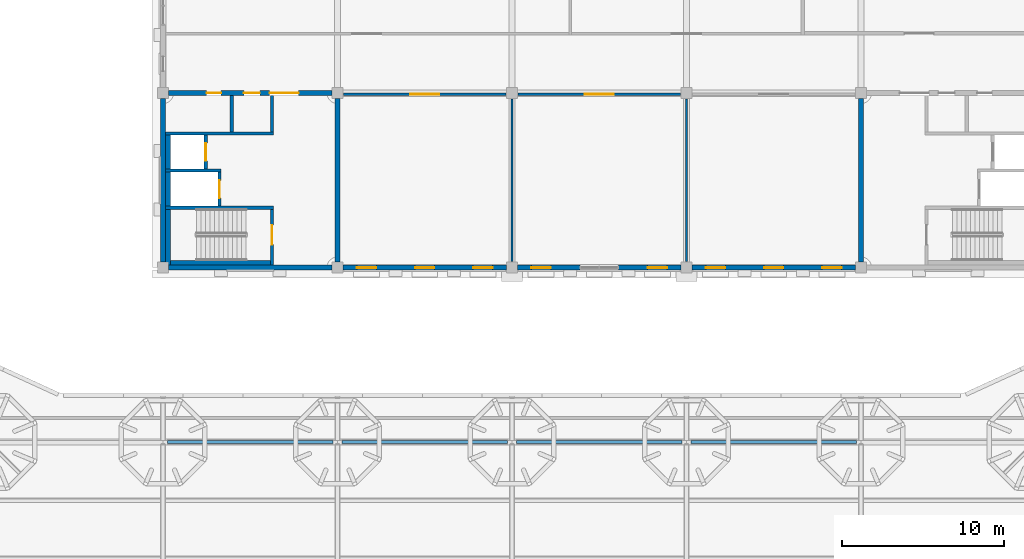
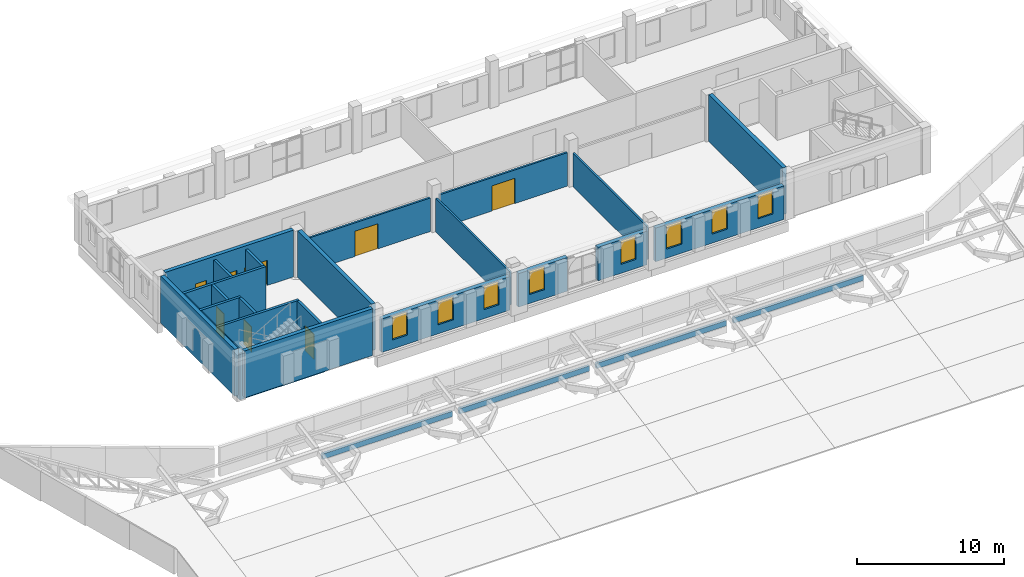
# One storey, part 22 of 32: 29 walls, 8 doors, 8 windows, 16 openings.
"""IFC4 building model written with IfcOpenShell, lengths in metres."""

from ifc_helpers import new_model, si_unit, direction, frame, frame_2d, origin, place, context, subcontext, project, spatial, rectangle, extrude, material, layer, layer_set, type_object, element, fill, save


model = new_model("IFC4")

# Units and contexts
model_context = context("Model", 3, precision=1e-05, world=origin(), true_north=direction((0.0, 1.0)))
body_context = subcontext(model_context, "Body", "Model", "MODEL_VIEW")
ifc_project = project(units=[si_unit("LENGTHUNIT", "METRE"), si_unit("AREAUNIT", "SQUARE_METRE"), si_unit("VOLUMEUNIT", "CUBIC_METRE"), si_unit("PLANEANGLEUNIT", "RADIAN"), si_unit("MASSUNIT", "GRAM", prefix="KILO")], contexts=[model_context])

# Site, building, storey
site_placement = place(None, origin())
site = spatial("IfcSite", under=ifc_project, at=site_placement, CompositionType="ELEMENT")
building_placement = place(site_placement, origin())
building = spatial("IfcBuilding", under=site, at=building_placement, Name="Magnolia Steps Interchange", CompositionType="ELEMENT")
storey_placement = place(building_placement, frame((0.0, 0.0, 16.5)))
storey = spatial("IfcBuildingStorey", under=building, at=storey_placement, Name="L04", CompositionType="ELEMENT", Elevation=16.5)

# Wall, opening, door
ifc_material_1 = material(Name="Concrete C35", Category="concrete")
ifc_layer_1 = layer(ifc_material_1, 0.199951171875)
ifc_layer_set_1 = layer_set([ifc_layer_1], Name="Core enclosure wall 200")
wall_type_1 = type_object("IfcWallType", Name="Core enclosure wall 200", PredefinedType="SOLIDWALL", material=ifc_layer_set_1)
wall_1_placement = place(storey_placement, frame((70.75, 96.550048828125, 0.0), z_axis=(0.0, 0.0, 1.0), x_axis=(0.0, 1.0, 0.0)))
wall_1 = element("IfcWall", 1, at=wall_1_placement, inside=storey, type_object=wall_type_1, Name="L04 OC-W enclosure wall", PredefinedType="SOLIDWALL", context=body_context, shape_type="SweptSolid", body=[
    extrude(rectangle(XDim=3.449951171875, YDim=0.199951171875, at=frame_2d((1.72509765625, 0.0))), origin(), (0.0, 0.0, 1.0), 3.60009765625),
])
opening_1_placement = place(wall_1_placement, frame((1.27490234375, 0.0, 0.0)))
opening_1 = element("IfcOpeningElement", 2, at=opening_1_placement, cuts=wall_1, Name="Opening D-OC-W-L04-1", PredefinedType="OPENING", context=body_context, shape_type="SweptSolid", body=[
    extrude(rectangle(XDim=1.199951171875, YDim=2.10009765625, at=frame_2d((0.60009765625, 1.050048828125))), frame((0.0, 0.10986328125, 0.0), z_axis=(0.0, -1.0, 0.0), x_axis=(1.0, 0.0, 0.0)), (0.0, 0.0, 1.0), 0.219970703125),
])
ifc_material_2 = material(Name="Painted steel", Category="steel")
door_type_1 = type_object("IfcDoorType", Name="Stair fire door 1200x2100", OperationType="NOTDEFINED", PredefinedType="DOOR", material=ifc_material_2)
door_1_placement = place(opening_1_placement, frame((1.199951171875, 0.0, 0.0), z_axis=(0.0, 0.0, 1.0), x_axis=(-1.0, 0.0, 0.0)))
door_1 = element("IfcDoor", 3, at=door_1_placement, inside=storey, type_object=door_type_1, Name="Stair door ST28 L04", OperationType="SINGLE_SWING_LEFT", OverallHeight=2.10009765625, OverallWidth=1.199951171875, PredefinedType="DOOR", context=body_context, shape_type="SweptSolid", body=[
    extrude(rectangle(XDim=1.199951171875, YDim=2.10009765625, at=frame_2d((0.60009765625, 1.050048828125))), frame((0.0, 0.02490234375, 0.0), z_axis=(0.0, -1.0, 0.0), x_axis=(1.0, 0.0, 0.0)), (0.0, 0.0, 1.0), 0.050048828125),
])
fill(opening_1, door_1)

# Wall
wall_2_placement = place(storey_placement, frame((70.85009765625, 100.10009765625, 0.0), z_axis=(0.0, 0.0, 1.0), x_axis=(-1.0, 0.0, 0.0)))
element("IfcWall", 4, at=wall_2_placement, inside=storey, type_object=wall_type_1, Name="L04 OC-W enclosure wall", PredefinedType="SOLIDWALL", context=body_context, shape_type="SweptSolid", body=[
    extrude(rectangle(XDim=6.7001953125, YDim=0.199951171875, at=frame_2d((3.35009765625, 0.0))), origin(), (0.0, 0.0, 1.0), 3.60009765625),
])

# Wall, opening, door
wall_3_placement = place(storey_placement, frame((67.5, 100.199951171875, 0.0), z_axis=(0.0, 0.0, 1.0), x_axis=(0.0, 1.0, 0.0)))
wall_3 = element("IfcWall", 5, at=wall_3_placement, inside=storey, type_object=wall_type_1, Name="L04 OC-W enclosure wall", PredefinedType="SOLIDWALL", context=body_context, shape_type="SweptSolid", body=[
    extrude(rectangle(XDim=2.10009765625, YDim=0.199951171875, at=frame_2d((1.050048828125, 0.0))), origin(), (0.0, 0.0, 1.0), 3.60009765625),
])
opening_2_placement = place(wall_3_placement, frame((0.5, 0.0, 0.0)))
opening_2 = element("IfcOpeningElement", 6, at=opening_2_placement, cuts=wall_3, Name="Opening LD", PredefinedType="OPENING", context=body_context, shape_type="SweptSolid", body=[
    extrude(rectangle(XDim=1.10009765625, YDim=2.10009765625, at=frame_2d((0.550048828125, 1.050048828125))), frame((0.0, 0.10986328125, 0.0), z_axis=(0.0, -1.0, 0.0), x_axis=(1.0, 0.0, 0.0)), (0.0, 0.0, 1.0), 0.219970703125),
])
ifc_material_3 = material(Name="Stainless steel grade 304", Category="steel")
door_type_2 = type_object("IfcDoorType", Name="Lift landing door 1100x2100", OperationType="DOUBLE_DOOR_SLIDING", PredefinedType="DOOR", material=ifc_material_3)
door_2_placement = place(opening_2_placement, frame((1.10009765625, 0.0, 0.0), z_axis=(0.0, 0.0, 1.0), x_axis=(-1.0, 0.0, 0.0)))
door_2 = element("IfcDoor", 7, at=door_2_placement, inside=storey, type_object=door_type_2, Name="Lift landing door LF15 L04", OperationType="DOUBLE_DOOR_SLIDING", OverallHeight=2.10009765625, OverallWidth=1.10009765625, PredefinedType="DOOR", context=body_context, shape_type="SweptSolid", body=[
    extrude(rectangle(XDim=1.10009765625, YDim=2.10009765625, at=frame_2d((0.550048828125, 1.050048828125))), frame((0.0, 0.02490234375, 0.0), z_axis=(0.0, -1.0, 0.0), x_axis=(1.0, 0.0, 0.0)), (0.0, 0.0, 1.0), 0.050048828125),
])
fill(opening_2, door_2)

# Wall
wall_4_placement = place(storey_placement, frame((67.60009765625, 102.39990234375, 0.0), z_axis=(0.0, 0.0, 1.0), x_axis=(-1.0, 0.0, 0.0)))
element("IfcWall", 8, at=wall_4_placement, inside=storey, type_object=wall_type_1, Name="L04 OC-W enclosure wall", PredefinedType="SOLIDWALL", context=body_context, shape_type="SweptSolid", body=[
    extrude(rectangle(XDim=3.4501953125, YDim=0.199951171875, at=frame_2d((1.72509765625, 0.0))), origin(), (0.0, 0.0, 1.0), 3.60009765625),
])

# Wall, opening, door
wall_5_placement = place(storey_placement, frame((66.64990234375, 102.5, 0.0), z_axis=(0.0, 0.0, 1.0), x_axis=(0.0, 1.0, 0.0)))
wall_5 = element("IfcWall", 9, at=wall_5_placement, inside=storey, type_object=wall_type_1, Name="L04 OC-W enclosure wall", PredefinedType="SOLIDWALL", context=body_context, shape_type="SweptSolid", body=[
    extrude(rectangle(XDim=2.10009765625, YDim=0.199951171875, at=frame_2d((1.050048828125, 0.0))), origin(), (0.0, 0.0, 1.0), 3.60009765625),
])
opening_3_placement = place(wall_5_placement, frame((0.5, 0.0, 0.0)))
opening_3 = element("IfcOpeningElement", 10, at=opening_3_placement, cuts=wall_5, Name="Opening LD", PredefinedType="OPENING", context=body_context, shape_type="SweptSolid", body=[
    extrude(rectangle(XDim=1.10009765625, YDim=2.10009765625, at=frame_2d((0.550048828125, 1.050048828125))), frame((0.0, 0.10986328125, 0.0), z_axis=(0.0, -1.0, 0.0), x_axis=(1.0, 0.0, 0.0)), (0.0, 0.0, 1.0), 0.219970703125),
])
door_3_placement = place(opening_3_placement, frame((1.10009765625, 0.0, 0.0), z_axis=(0.0, 0.0, 1.0), x_axis=(-1.0, 0.0, 0.0)))
door_3 = element("IfcDoor", 11, at=door_3_placement, inside=storey, type_object=door_type_2, Name="Lift landing door LF16 L04", OperationType="DOUBLE_DOOR_SLIDING", OverallHeight=2.10009765625, OverallWidth=1.10009765625, PredefinedType="DOOR", context=body_context, shape_type="SweptSolid", body=[
    extrude(rectangle(XDim=1.10009765625, YDim=2.10009765625, at=frame_2d((0.550048828125, 1.050048828125))), frame((0.0, 0.02490234375, 0.0), z_axis=(0.0, -1.0, 0.0), x_axis=(1.0, 0.0, 0.0)), (0.0, 0.0, 1.0), 0.050048828125),
])
fill(opening_3, door_3)

# Walls
wall_6_placement = place(storey_placement, frame((70.85009765625, 104.699951171875, 0.0), z_axis=(0.0, 0.0, 1.0), x_axis=(-1.0, 0.0, 0.0)))
element("IfcWall", 12, at=wall_6_placement, inside=storey, type_object=wall_type_1, Name="L04 OC-W enclosure wall", PredefinedType="SOLIDWALL", context=body_context, shape_type="SweptSolid", body=[
    extrude(rectangle(XDim=6.7001953125, YDim=0.199951171875, at=frame_2d((3.35009765625, 0.0))), origin(), (0.0, 0.0, 1.0), 3.60009765625),
])
wall_7_placement = place(storey_placement, frame((70.75, 104.800048828125, 0.0), z_axis=(0.0, 0.0, 1.0), x_axis=(0.0, 1.0, 0.0)))
element("IfcWall", 13, at=wall_7_placement, inside=storey, type_object=wall_type_1, Name="L04 OC-W enclosure wall", PredefinedType="SOLIDWALL", context=body_context, shape_type="SweptSolid", body=[
    extrude(rectangle(XDim=2.25, YDim=0.199951171875, at=frame_2d((1.125, 0.0))), origin(), (0.0, 0.0, 1.0), 3.60009765625),
])
ifc_material_4 = material(Name="Concrete C35", Category="concrete")
ifc_layer_2 = layer(ifc_material_4, 0.300048828125)
ifc_layer_set_2 = layer_set([ifc_layer_2], Name="Core lining wall 300")
wall_type_2 = type_object("IfcWallType", Name="Core lining wall 300", PredefinedType="SOLIDWALL", material=ifc_layer_set_2)
wall_8_placement = place(storey_placement, frame((70.85009765625, 96.699951171875, -0.300048828125), z_axis=(0.0, 0.0, 1.0), x_axis=(-1.0, 0.0, 0.0)))
element("IfcWall", 14, at=wall_8_placement, inside=storey, type_object=wall_type_2, Name="L04 OC-W stair lining wall", PredefinedType="SOLIDWALL", context=body_context, shape_type="SweptSolid", body=[
    extrude(rectangle(XDim=6.7001953125, YDim=0.300048828125, at=frame_2d((3.35009765625, 0.0))), origin(), (0.0, 0.0, 1.0), 3.900146484375),
])
wall_9_placement = place(storey_placement, frame((64.300048828125, 96.550048828125, -0.300048828125), z_axis=(0.0, 0.0, 1.0), x_axis=(0.0, 1.0, 0.0)))
element("IfcWall", 15, at=wall_9_placement, inside=storey, type_object=wall_type_2, Name="L04 OC-W stair lining wall", PredefinedType="SOLIDWALL", context=body_context, shape_type="SweptSolid", body=[
    extrude(rectangle(XDim=3.449951171875, YDim=0.300048828125, at=frame_2d((1.72509765625, 0.0))), origin(), (0.0, 0.0, 1.0), 3.900146484375),
])
for number, where, z_axis, x_axis, name in (
    (16, (64.300048828125, 100.199951171875, -0.300048828125), (0.0, 0.0, 1.0), (0.0, 1.0, 0.0), "L04 OC-W stair lining wall"),
    (17, (64.300048828125, 102.5, -0.300048828125), (0.0, 0.0, 1.0), (0.0, 1.0, 0.0), "L04 OC-W stair lining wall"),
):
    element("IfcWall", number, at=place(storey_placement, frame(where, z_axis=z_axis, x_axis=x_axis)), inside=storey, type_object=wall_type_2, Name=name, PredefinedType="SOLIDWALL", context=body_context, shape_type="SweptSolid", body=[
        extrude(rectangle(XDim=2.10009765625, YDim=0.300048828125, at=frame_2d((1.050048828125, 0.0))), origin(), (0.0, 0.0, 1.0), 3.900146484375),
    ])
ifc_material_5 = material(Name="Fair-faced blockwork", Category="masonry")
ifc_layer_3 = layer(ifc_material_5, 0.199951171875)
ifc_layer_set_3 = layer_set([ifc_layer_3], Name="Core partition 200")
wall_type_3 = type_object("IfcWallType", Name="Core partition 200", PredefinedType="PARTITIONING", material=ifc_layer_set_3)
wall_10_placement = place(storey_placement, frame((68.25, 104.800048828125, 0.0), z_axis=(0.0, 0.0, 1.0), x_axis=(0.0, 1.0, 0.0)))
element("IfcWall", 18, at=wall_10_placement, inside=storey, type_object=wall_type_3, Name="L04 OC-W toilet partition", PredefinedType="PARTITIONING", context=body_context, shape_type="SweptSolid", body=[
    extrude(rectangle(XDim=2.25, YDim=0.199951171875, at=frame_2d((1.125, 0.0))), origin(), (0.0, 0.0, 1.0), 3.60009765625),
])
ifc_material_6 = material(Name="Concrete C40", Category="concrete")
ifc_layer_4 = layer(ifc_material_6, 0.300048828125)
ifc_layer_set_4 = layer_set([ifc_layer_4], Name="Core wall 300")
wall_type_4 = type_object("IfcWallType", Name="Core wall 300", PredefinedType="SOLIDWALL", material=ifc_layer_set_4)
wall_11_placement = place(storey_placement, frame((64.35009765625, 96.39990234375, 0.0), z_axis=(0.0, 0.0, 1.0), x_axis=(1.0, 0.0, 0.0)))
element("IfcWall", 19, at=wall_11_placement, inside=storey, type_object=wall_type_4, Name="Core wall OC-W", PredefinedType="SOLIDWALL", context=body_context, shape_type="SweptSolid", body=[
    extrude(rectangle(XDim=10.099853515625, YDim=0.300048828125, at=frame_2d((5.0498046875, 0.0))), origin(), (0.0, 0.0, 1.0), 3.89990234375),
])
wall_12_placement = place(storey_placement, frame((74.800048828125, 96.75, 0.0), z_axis=(0.0, 0.0, 1.0), x_axis=(0.0, 1.0, 0.0)))
element("IfcWall", 20, at=wall_12_placement, inside=storey, type_object=wall_type_4, Name="Core wall OC-W", PredefinedType="SOLIDWALL", context=body_context, shape_type="SweptSolid", body=[
    extrude(rectangle(XDim=10.10009765625, YDim=0.300048828125, at=frame_2d((5.050048828125, 0.0))), origin(), (0.0, 0.0, 1.0), 3.89990234375),
])

# Wall, openings, doors
wall_13_placement = place(storey_placement, frame((74.449951171875, 107.199951171875, 0.0), z_axis=(0.0, 0.0, 1.0), x_axis=(-1.0, 0.0, 0.0)))
wall_13 = element("IfcWall", 21, at=wall_13_placement, inside=storey, type_object=wall_type_4, Name="Core wall OC-W", PredefinedType="SOLIDWALL", context=body_context, shape_type="SweptSolid", body=[
    extrude(rectangle(XDim=10.099853515625, YDim=0.300048828125, at=frame_2d((5.0498046875, 0.0))), origin(), (0.0, 0.0, 1.0), 3.89990234375),
])
opening_4_placement = place(wall_13_placement, frame((2.050048828125, 0.0, 0.0)))
opening_4 = element("IfcOpeningElement", 22, at=opening_4_placement, cuts=wall_13, Name="Opening D-OC-W-L04-2", PredefinedType="OPENING", context=body_context, shape_type="SweptSolid", body=[
    extrude(rectangle(XDim=1.800048828125, YDim=2.10009765625, at=frame_2d((0.89990234375, 1.050048828125))), frame((0.0, 0.159912109375, 0.0), z_axis=(0.0, -1.0, 0.0), x_axis=(1.0, 0.0, 0.0)), (0.0, 0.0, 1.0), 0.320068359375),
])
opening_5_placement = place(wall_13_placement, frame((4.449951171875, 0.0, 0.0)))
opening_5 = element("IfcOpeningElement", 23, at=opening_5_placement, cuts=wall_13, Name="Opening D-OC-W-L04-3", PredefinedType="OPENING", context=body_context, shape_type="SweptSolid", body=[
    extrude(rectangle(XDim=1.0, YDim=2.10009765625, at=frame_2d((0.5, 1.050048828125))), frame((0.0, 0.159912109375, 0.0), z_axis=(0.0, -1.0, 0.0), x_axis=(1.0, 0.0, 0.0)), (0.0, 0.0, 1.0), 0.320068359375),
])
opening_6_placement = place(wall_13_placement, frame((6.85009765625, 0.0, 0.0)))
opening_6 = element("IfcOpeningElement", 24, at=opening_6_placement, cuts=wall_13, Name="Opening D-OC-W-L04-4", PredefinedType="OPENING", context=body_context, shape_type="SweptSolid", body=[
    extrude(rectangle(XDim=0.89990234375, YDim=2.10009765625, at=frame_2d((0.449951171875, 1.050048828125))), frame((0.0, 0.159912109375, 0.0), z_axis=(0.0, -1.0, 0.0), x_axis=(1.0, 0.0, 0.0)), (0.0, 0.0, 1.0), 0.320068359375),
])
ifc_material_7 = material(Name="Timber", Category="wood")
door_type_3 = type_object("IfcDoorType", Name="Accessible toilet door 1000x2100", OperationType="NOTDEFINED", PredefinedType="DOOR", material=ifc_material_7)
door_4_placement = place(opening_5_placement, origin())
door_4 = element("IfcDoor", 25, at=door_4_placement, inside=storey, type_object=door_type_3, Name="Accessible Toilet door OC-W L04", OperationType="SINGLE_SWING_LEFT", OverallHeight=2.10009765625, OverallWidth=1.0, PredefinedType="DOOR", context=body_context, shape_type="SweptSolid", body=[
    extrude(rectangle(XDim=1.0, YDim=2.10009765625, at=frame_2d((0.5, 1.050048828125))), frame((0.0, 0.02490234375, 0.0), z_axis=(0.0, -1.0, 0.0), x_axis=(1.0, 0.0, 0.0)), (0.0, 0.0, 1.0), 0.050048828125),
])
fill(opening_5, door_4)
ifc_material_8 = material(Name="Timber and glass", Category="wood")
door_type_4 = type_object("IfcDoorType", Name="Core entrance door pair 1800x2100", OperationType="DOUBLE_DOOR_DOUBLE_SWING", PredefinedType="DOOR", material=ifc_material_8)
door_5_placement = place(opening_4_placement, frame((1.800048828125, 0.0, 0.0), z_axis=(0.0, 0.0, 1.0), x_axis=(-1.0, 0.0, 0.0)))
door_5 = element("IfcDoor", 26, at=door_5_placement, inside=storey, type_object=door_type_4, Name="Core entrance door OC-W L04", OperationType="DOUBLE_DOOR_DOUBLE_SWING", OverallHeight=2.10009765625, OverallWidth=1.800048828125, PredefinedType="DOOR", context=body_context, shape_type="SweptSolid", body=[
    extrude(rectangle(XDim=1.800048828125, YDim=2.10009765625, at=frame_2d((0.89990234375, 1.050048828125))), frame((0.0, 0.02490234375, 0.0), z_axis=(0.0, -1.0, 0.0), x_axis=(1.0, 0.0, 0.0)), (0.0, 0.0, 1.0), 0.050048828125),
])
fill(opening_4, door_5)
ifc_material_9 = material(Name="Timber", Category="wood")
door_type_5 = type_object("IfcDoorType", Name="Toilet door 900x2100", OperationType="NOTDEFINED", PredefinedType="DOOR", material=ifc_material_9)
door_6_placement = place(opening_6_placement, origin())
door_6 = element("IfcDoor", 27, at=door_6_placement, inside=storey, type_object=door_type_5, Name="Public Toilets door OC-W L04", OperationType="SINGLE_SWING_RIGHT", OverallHeight=2.10009765625, OverallWidth=0.89990234375, PredefinedType="DOOR", context=body_context, shape_type="SweptSolid", body=[
    extrude(rectangle(XDim=0.89990234375, YDim=2.10009765625, at=frame_2d((0.449951171875, 1.050048828125))), frame((0.0, 0.02490234375, 0.0), z_axis=(0.0, -1.0, 0.0), x_axis=(1.0, 0.0, 0.0)), (0.0, 0.0, 1.0), 0.050048828125),
])
fill(opening_6, door_6)

# Walls
for number, where, z_axis, x_axis, name in (
    (28, (64.0, 106.85009765625, 0.0), (0.0, 0.0, 1.0), (0.0, -1.0, 0.0), "Core wall OC-W"),
    (29, (107.199951171875, 106.85009765625, 0.0), (0.0, 0.0, 1.0), (0.0, -1.0, 0.0), "Core wall OC-E"),
):
    element("IfcWall", number, at=place(storey_placement, frame(where, z_axis=z_axis, x_axis=x_axis)), inside=storey, type_object=wall_type_4, Name=name, PredefinedType="SOLIDWALL", context=body_context, shape_type="SweptSolid", body=[
        extrude(rectangle(XDim=10.10009765625, YDim=0.300048828125, at=frame_2d((5.050048828125, 0.0))), origin(), (0.0, 0.0, 1.0), 3.89990234375),
    ])
ifc_material_10 = material(Name="White powder-coated aluminium cladding", Category="aluminium")
ifc_layer_5 = layer(ifc_material_10, 0.199951171875)
ifc_layer_set_5 = layer_set([ifc_layer_5], Name="Hall header wall 200")
wall_type_5 = type_object("IfcWallType", Name="Hall header wall 200", PredefinedType="SOLIDWALL", material=ifc_layer_set_5)
for number, where, z_axis, x_axis, name in (
    (30, (64.280029296875, 85.60009765625, 1.401123046875), (0.0, 0.0, 1.0), (1.0, 0.0, 0.0), "Hall header N2"),
    (31, (75.080078125, 85.60009765625, 1.401123046875), (0.0, 0.0, 1.0), (1.0, 0.0, 0.0), "Hall header N3"),
):
    element("IfcWall", number, at=place(storey_placement, frame(where, z_axis=z_axis, x_axis=x_axis)), inside=storey, type_object=wall_type_5, Name=name, PredefinedType="SOLIDWALL", context=body_context, shape_type="SweptSolid", body=[
        extrude(rectangle(XDim=10.239990234375, YDim=0.199951171875, at=frame_2d((5.1201171875, 0.0))), origin(), (0.0, 0.0, 1.0), 0.4443359375),
    ])
wall_14_placement = place(storey_placement, frame((85.8798828125, 85.60009765625, 1.401123046875), z_axis=(0.0, 0.0, 1.0), x_axis=(1.0, 0.0, 0.0)))
element("IfcWall", 32, at=wall_14_placement, inside=storey, type_object=wall_type_5, Name="Hall header N4", PredefinedType="SOLIDWALL", context=body_context, shape_type="SweptSolid", body=[
    extrude(rectangle(XDim=10.240234375, YDim=0.199951171875, at=frame_2d((5.1201171875, 0.0))), origin(), (0.0, 0.0, 1.0), 0.4443359375),
])
wall_15_placement = place(storey_placement, frame((96.679931640625, 85.60009765625, 1.401123046875), z_axis=(0.0, 0.0, 1.0), x_axis=(1.0, 0.0, 0.0)))
element("IfcWall", 33, at=wall_15_placement, inside=storey, type_object=wall_type_5, Name="Hall header N5", PredefinedType="SOLIDWALL", context=body_context, shape_type="SweptSolid", body=[
    extrude(rectangle(XDim=10.239990234375, YDim=0.199951171875, at=frame_2d((5.1201171875, 0.0))), origin(), (0.0, 0.0, 1.0), 0.4443359375),
])

# Wall, openings, windows
ifc_material_11 = material(Name="Lime render on masonry", Category="masonry")
ifc_layer_6 = layer(ifc_material_11, 0.324951171875)
ifc_layer_set_6 = layer_set([ifc_layer_6], Name="Lime render wall 325")
wall_type_6 = type_object("IfcWallType", Name="Lime render wall 325", PredefinedType="SOLIDWALL", material=ifc_layer_set_6)
wall_16_placement = place(storey_placement, frame((75.14990234375, 96.39990234375, 0.0), z_axis=(0.0, 0.0, 1.0), x_axis=(1.0, 0.0, 0.0)))
wall_16 = element("IfcWall", 34, at=wall_16_placement, inside=storey, type_object=wall_type_6, Name="Operations building south wall L04 pier 1", PredefinedType="SOLIDWALL", context=body_context, shape_type="SweptSolid", body=[
    extrude(rectangle(XDim=10.10009765625, YDim=0.324951171875, at=frame_2d((5.050048828125, 0.0))), origin(), (0.0, 0.0, 1.0), 2.800048828125),
])
opening_7_placement = place(wall_16_placement, frame((0.85009765625, 0.0, 0.75)))
opening_7 = element("IfcOpeningElement", 35, at=opening_7_placement, cuts=wall_16, Name="Opening WN1", PredefinedType="OPENING", context=body_context, shape_type="SweptSolid", body=[
    extrude(rectangle(XDim=1.199951171875, YDim=1.949951171875, at=frame_2d((0.60009765625, 0.97509765625))), frame((0.0, 0.17236328125, 0.0), z_axis=(0.0, -1.0, 0.0), x_axis=(1.0, 0.0, 0.0)), (0.0, 0.0, 1.0), 0.344970703125),
])
opening_8_placement = place(wall_16_placement, frame((4.449951171875, 0.0, 0.75)))
opening_8 = element("IfcOpeningElement", 36, at=opening_8_placement, cuts=wall_16, Name="Opening WN1", PredefinedType="OPENING", context=body_context, shape_type="SweptSolid", body=[
    extrude(rectangle(XDim=1.199951171875, YDim=1.949951171875, at=frame_2d((0.60009765625, 0.97509765625))), frame((0.0, 0.17236328125, 0.0), z_axis=(0.0, -1.0, 0.0), x_axis=(1.0, 0.0, 0.0)), (0.0, 0.0, 1.0), 0.344970703125),
])
opening_9_placement = place(wall_16_placement, frame((8.050048828125, 0.0, 0.75)))
opening_9 = element("IfcOpeningElement", 37, at=opening_9_placement, cuts=wall_16, Name="Opening WN1", PredefinedType="OPENING", context=body_context, shape_type="SweptSolid", body=[
    extrude(rectangle(XDim=1.199951171875, YDim=1.949951171875, at=frame_2d((0.60009765625, 0.97509765625))), frame((0.0, 0.17236328125, 0.0), z_axis=(0.0, -1.0, 0.0), x_axis=(1.0, 0.0, 0.0)), (0.0, 0.0, 1.0), 0.344970703125),
])
ifc_material_12 = material(Name="Timber frame with double glazing", Category="wood")
window_type = type_object("IfcWindowType", Name="Tall window 1200 x 1950", PartitioningType="DOUBLE_PANEL_VERTICAL", PredefinedType="WINDOW", material=ifc_material_12)
window_1_placement = place(opening_7_placement, origin())
window_1 = element("IfcWindow", 38, at=window_1_placement, inside=storey, type_object=window_type, Name="Window L04 south 1", OverallHeight=1.949951171875, OverallWidth=1.199951171875, PartitioningType="SINGLE_PANEL", PredefinedType="WINDOW", context=body_context, shape_type="SweptSolid", body=[
    extrude(rectangle(XDim=1.199951171875, YDim=1.949951171875, at=frame_2d((0.60009765625, 0.97509765625))), frame((0.0, 0.030029296875, 0.0), z_axis=(0.0, -1.0, 0.0), x_axis=(1.0, 0.0, 0.0)), (0.0, 0.0, 1.0), 0.06005859375),
])
fill(opening_7, window_1)
window_2_placement = place(opening_8_placement, origin())
window_2 = element("IfcWindow", 39, at=window_2_placement, inside=storey, type_object=window_type, Name="Window L04 south 2", OverallHeight=1.949951171875, OverallWidth=1.199951171875, PartitioningType="SINGLE_PANEL", PredefinedType="WINDOW", context=body_context, shape_type="SweptSolid", body=[
    extrude(rectangle(XDim=1.199951171875, YDim=1.949951171875, at=frame_2d((0.60009765625, 0.97509765625))), frame((0.0, 0.030029296875, 0.0), z_axis=(0.0, -1.0, 0.0), x_axis=(1.0, 0.0, 0.0)), (0.0, 0.0, 1.0), 0.06005859375),
])
fill(opening_8, window_2)
window_3_placement = place(opening_9_placement, origin())
window_3 = element("IfcWindow", 40, at=window_3_placement, inside=storey, type_object=window_type, Name="Window L04 south 3", OverallHeight=1.949951171875, OverallWidth=1.199951171875, PartitioningType="SINGLE_PANEL", PredefinedType="WINDOW", context=body_context, shape_type="SweptSolid", body=[
    extrude(rectangle(XDim=1.199951171875, YDim=1.949951171875, at=frame_2d((0.60009765625, 0.97509765625))), frame((0.0, 0.030029296875, 0.0), z_axis=(0.0, -1.0, 0.0), x_axis=(1.0, 0.0, 0.0)), (0.0, 0.0, 1.0), 0.06005859375),
])
fill(opening_9, window_3)

# Wall, opening, window
wall_17_placement = place(storey_placement, frame((85.949951171875, 96.39990234375, 0.0), z_axis=(0.0, 0.0, 1.0), x_axis=(1.0, 0.0, 0.0)))
wall_17 = element("IfcWall", 41, at=wall_17_placement, inside=storey, type_object=wall_type_6, Name="Operations building south wall L04 pier 1", PredefinedType="SOLIDWALL", context=body_context, shape_type="SweptSolid", body=[
    extrude(rectangle(XDim=3.85009765625, YDim=0.324951171875, at=frame_2d((1.925048828125, 0.0))), origin(), (0.0, 0.0, 1.0), 2.800048828125),
])
opening_10_placement = place(wall_17_placement, frame((0.85009765625, 0.0, 0.75)))
opening_10 = element("IfcOpeningElement", 42, at=opening_10_placement, cuts=wall_17, Name="Opening WN1", PredefinedType="OPENING", context=body_context, shape_type="SweptSolid", body=[
    extrude(rectangle(XDim=1.199951171875, YDim=1.949951171875, at=frame_2d((0.60009765625, 0.97509765625))), frame((0.0, 0.17236328125, 0.0), z_axis=(0.0, -1.0, 0.0), x_axis=(1.0, 0.0, 0.0)), (0.0, 0.0, 1.0), 0.344970703125),
])
window_4_placement = place(opening_10_placement, origin())
window_4 = element("IfcWindow", 43, at=window_4_placement, inside=storey, type_object=window_type, Name="Window L04 south 4", OverallHeight=1.949951171875, OverallWidth=1.199951171875, PartitioningType="SINGLE_PANEL", PredefinedType="WINDOW", context=body_context, shape_type="SweptSolid", body=[
    extrude(rectangle(XDim=1.199951171875, YDim=1.949951171875, at=frame_2d((0.60009765625, 0.97509765625))), frame((0.0, 0.030029296875, 0.0), z_axis=(0.0, -1.0, 0.0), x_axis=(1.0, 0.0, 0.0)), (0.0, 0.0, 1.0), 0.06005859375),
])
fill(opening_10, window_4)

wall_18_placement = place(storey_placement, frame((92.199951171875, 96.39990234375, 0.0), z_axis=(0.0, 0.0, 1.0), x_axis=(1.0, 0.0, 0.0)))
wall_18 = element("IfcWall", 44, at=wall_18_placement, inside=storey, type_object=wall_type_6, Name="Operations building south wall L04 pier 3", PredefinedType="SOLIDWALL", context=body_context, shape_type="SweptSolid", body=[
    extrude(rectangle(XDim=3.85009765625, YDim=0.324951171875, at=frame_2d((1.925048828125, 0.0))), origin(), (0.0, 0.0, 1.0), 2.800048828125),
])
opening_11_placement = place(wall_18_placement, frame((1.800048828125, 0.0, 0.75)))
opening_11 = element("IfcOpeningElement", 45, at=opening_11_placement, cuts=wall_18, Name="Opening WN1", PredefinedType="OPENING", context=body_context, shape_type="SweptSolid", body=[
    extrude(rectangle(XDim=1.199951171875, YDim=1.949951171875, at=frame_2d((0.60009765625, 0.97509765625))), frame((0.0, 0.17236328125, 0.0), z_axis=(0.0, -1.0, 0.0), x_axis=(1.0, 0.0, 0.0)), (0.0, 0.0, 1.0), 0.344970703125),
])
window_5_placement = place(opening_11_placement, origin())
window_5 = element("IfcWindow", 46, at=window_5_placement, inside=storey, type_object=window_type, Name="Window L04 south 6", OverallHeight=1.949951171875, OverallWidth=1.199951171875, PartitioningType="SINGLE_PANEL", PredefinedType="WINDOW", context=body_context, shape_type="SweptSolid", body=[
    extrude(rectangle(XDim=1.199951171875, YDim=1.949951171875, at=frame_2d((0.60009765625, 0.97509765625))), frame((0.0, 0.030029296875, 0.0), z_axis=(0.0, -1.0, 0.0), x_axis=(1.0, 0.0, 0.0)), (0.0, 0.0, 1.0), 0.06005859375),
])
fill(opening_11, window_5)

# Wall, openings, windows
wall_19_placement = place(storey_placement, frame((96.75, 96.39990234375, 0.0), z_axis=(0.0, 0.0, 1.0), x_axis=(1.0, 0.0, 0.0)))
wall_19 = element("IfcWall", 47, at=wall_19_placement, inside=storey, type_object=wall_type_6, Name="Operations building south wall L04 pier 3", PredefinedType="SOLIDWALL", context=body_context, shape_type="SweptSolid", body=[
    extrude(rectangle(XDim=10.10009765625, YDim=0.324951171875, at=frame_2d((5.050048828125, 0.0))), origin(), (0.0, 0.0, 1.0), 2.800048828125),
])
opening_12_placement = place(wall_19_placement, frame((0.85009765625, 0.0, 0.75)))
opening_12 = element("IfcOpeningElement", 48, at=opening_12_placement, cuts=wall_19, Name="Opening WN1", PredefinedType="OPENING", context=body_context, shape_type="SweptSolid", body=[
    extrude(rectangle(XDim=1.199951171875, YDim=1.949951171875, at=frame_2d((0.60009765625, 0.97509765625))), frame((0.0, 0.17236328125, 0.0), z_axis=(0.0, -1.0, 0.0), x_axis=(1.0, 0.0, 0.0)), (0.0, 0.0, 1.0), 0.344970703125),
])
opening_13_placement = place(wall_19_placement, frame((4.449951171875, 0.0, 0.75)))
opening_13 = element("IfcOpeningElement", 49, at=opening_13_placement, cuts=wall_19, Name="Opening WN1", PredefinedType="OPENING", context=body_context, shape_type="SweptSolid", body=[
    extrude(rectangle(XDim=1.199951171875, YDim=1.949951171875, at=frame_2d((0.60009765625, 0.97509765625))), frame((0.0, 0.17236328125, 0.0), z_axis=(0.0, -1.0, 0.0), x_axis=(1.0, 0.0, 0.0)), (0.0, 0.0, 1.0), 0.344970703125),
])
opening_14_placement = place(wall_19_placement, frame((8.050048828125, 0.0, 0.75)))
opening_14 = element("IfcOpeningElement", 50, at=opening_14_placement, cuts=wall_19, Name="Opening WN1", PredefinedType="OPENING", context=body_context, shape_type="SweptSolid", body=[
    extrude(rectangle(XDim=1.199951171875, YDim=1.949951171875, at=frame_2d((0.60009765625, 0.97509765625))), frame((0.0, 0.17236328125, 0.0), z_axis=(0.0, -1.0, 0.0), x_axis=(1.0, 0.0, 0.0)), (0.0, 0.0, 1.0), 0.344970703125),
])
window_6_placement = place(opening_12_placement, origin())
window_6 = element("IfcWindow", 51, at=window_6_placement, inside=storey, type_object=window_type, Name="Window L04 south 7", OverallHeight=1.949951171875, OverallWidth=1.199951171875, PartitioningType="SINGLE_PANEL", PredefinedType="WINDOW", context=body_context, shape_type="SweptSolid", body=[
    extrude(rectangle(XDim=1.199951171875, YDim=1.949951171875, at=frame_2d((0.60009765625, 0.97509765625))), frame((0.0, 0.030029296875, 0.0), z_axis=(0.0, -1.0, 0.0), x_axis=(1.0, 0.0, 0.0)), (0.0, 0.0, 1.0), 0.06005859375),
])
fill(opening_12, window_6)
window_7_placement = place(opening_13_placement, origin())
window_7 = element("IfcWindow", 52, at=window_7_placement, inside=storey, type_object=window_type, Name="Window L04 south 8", OverallHeight=1.949951171875, OverallWidth=1.199951171875, PartitioningType="SINGLE_PANEL", PredefinedType="WINDOW", context=body_context, shape_type="SweptSolid", body=[
    extrude(rectangle(XDim=1.199951171875, YDim=1.949951171875, at=frame_2d((0.60009765625, 0.97509765625))), frame((0.0, 0.030029296875, 0.0), z_axis=(0.0, -1.0, 0.0), x_axis=(1.0, 0.0, 0.0)), (0.0, 0.0, 1.0), 0.06005859375),
])
fill(opening_13, window_7)
window_8_placement = place(opening_14_placement, origin())
window_8 = element("IfcWindow", 53, at=window_8_placement, inside=storey, type_object=window_type, Name="Window L04 south 9", OverallHeight=1.949951171875, OverallWidth=1.199951171875, PartitioningType="SINGLE_PANEL", PredefinedType="WINDOW", context=body_context, shape_type="SweptSolid", body=[
    extrude(rectangle(XDim=1.199951171875, YDim=1.949951171875, at=frame_2d((0.60009765625, 0.97509765625))), frame((0.0, 0.030029296875, 0.0), z_axis=(0.0, -1.0, 0.0), x_axis=(1.0, 0.0, 0.0)), (0.0, 0.0, 1.0), 0.06005859375),
])
fill(opening_14, window_8)

# Wall, opening, door
ifc_material_13 = material(Name="Fair-faced blockwork", Category="masonry")
ifc_layer_7 = layer(ifc_material_13, 0.14990234375)
ifc_layer_set_7 = layer_set([ifc_layer_7], Name="Partition wall 150")
wall_type_7 = type_object("IfcWallType", Name="Partition wall 150", PredefinedType="PARTITIONING", material=ifc_layer_set_7)
wall_20_placement = place(storey_placement, frame((75.169921875, 107.125, 0.0), z_axis=(0.0, 0.0, 1.0), x_axis=(1.0, 0.0, 0.0)))
wall_20 = element("IfcWall", 54, at=wall_20_placement, inside=storey, type_object=wall_type_7, Name="L04 partition 1", PredefinedType="PARTITIONING", context=body_context, shape_type="SweptSolid", body=[
    extrude(rectangle(XDim=10.06005859375, YDim=0.14990234375, at=frame_2d((5.030029296875, 0.0))), origin(), (0.0, 0.0, 1.0), 2.800048828125),
])
opening_15_placement = place(wall_20_placement, frame((4.1298828125, 0.0, 0.0)))
opening_15 = element("IfcOpeningElement", 55, at=opening_15_placement, cuts=wall_20, Name="Opening D-L04-1", PredefinedType="OPENING", context=body_context, shape_type="SweptSolid", body=[
    extrude(rectangle(XDim=1.800048828125, YDim=2.10009765625, at=frame_2d((0.89990234375, 1.050048828125))), frame((0.0, 0.0849609375, 0.0), z_axis=(0.0, -1.0, 0.0), x_axis=(1.0, 0.0, 0.0)), (0.0, 0.0, 1.0), 0.169921875),
])
ifc_material_14 = material(Name="Timber", Category="wood")
door_type_6 = type_object("IfcDoorType", Name="Room door pair 1800x2100", OperationType="DOUBLE_DOOR_DOUBLE_SWING", PredefinedType="DOOR", material=ifc_material_14)
door_7_placement = place(opening_15_placement, origin())
door_7 = element("IfcDoor", 56, at=door_7_placement, inside=storey, type_object=door_type_6, Name="Meeting Room 4 door", OperationType="DOUBLE_DOOR_DOUBLE_SWING", OverallHeight=2.10009765625, OverallWidth=1.800048828125, PredefinedType="DOOR", context=body_context, shape_type="SweptSolid", body=[
    extrude(rectangle(XDim=1.800048828125, YDim=2.10009765625, at=frame_2d((0.89990234375, 1.050048828125))), frame((0.0, 0.02490234375, 0.0), z_axis=(0.0, -1.0, 0.0), x_axis=(1.0, 0.0, 0.0)), (0.0, 0.0, 1.0), 0.050048828125),
])
fill(opening_15, door_7)

wall_21_placement = place(storey_placement, frame((85.969970703125, 107.125, 0.0), z_axis=(0.0, 0.0, 1.0), x_axis=(1.0, 0.0, 0.0)))
wall_21 = element("IfcWall", 57, at=wall_21_placement, inside=storey, type_object=wall_type_7, Name="L04 partition 2", PredefinedType="PARTITIONING", context=body_context, shape_type="SweptSolid", body=[
    extrude(rectangle(XDim=10.06005859375, YDim=0.14990234375, at=frame_2d((5.030029296875, 0.0))), origin(), (0.0, 0.0, 1.0), 2.800048828125),
])
opening_16_placement = place(wall_21_placement, frame((4.1298828125, 0.0, 0.0)))
opening_16 = element("IfcOpeningElement", 58, at=opening_16_placement, cuts=wall_21, Name="Opening D-L04-2", PredefinedType="OPENING", context=body_context, shape_type="SweptSolid", body=[
    extrude(rectangle(XDim=1.800048828125, YDim=2.10009765625, at=frame_2d((0.89990234375, 1.050048828125))), frame((0.0, 0.0849609375, 0.0), z_axis=(0.0, -1.0, 0.0), x_axis=(1.0, 0.0, 0.0)), (0.0, 0.0, 1.0), 0.169921875),
])
door_8_placement = place(opening_16_placement, origin())
door_8 = element("IfcDoor", 59, at=door_8_placement, inside=storey, type_object=door_type_6, Name="Meeting Room 5 door", OperationType="DOUBLE_DOOR_DOUBLE_SWING", OverallHeight=2.10009765625, OverallWidth=1.800048828125, PredefinedType="DOOR", context=body_context, shape_type="SweptSolid", body=[
    extrude(rectangle(XDim=1.800048828125, YDim=2.10009765625, at=frame_2d((0.89990234375, 1.050048828125))), frame((0.0, 0.02490234375, 0.0), z_axis=(0.0, -1.0, 0.0), x_axis=(1.0, 0.0, 0.0)), (0.0, 0.0, 1.0), 0.050048828125),
])
fill(opening_16, door_8)

# Walls
for number, where, z_axis, x_axis, name in (
    (60, (85.60009765625, 96.77001953125, 0.0), (0.0, 0.0, 1.0), (0.0, 1.0, 0.0), "L04 partition 7"),
    (61, (96.39990234375, 96.77001953125, 0.0), (0.0, 0.0, 1.0), (0.0, 1.0, 0.0), "L04 partition 8"),
):
    element("IfcWall", number, at=place(storey_placement, frame(where, z_axis=z_axis, x_axis=x_axis)), inside=storey, type_object=wall_type_7, Name=name, PredefinedType="PARTITIONING", context=body_context, shape_type="SweptSolid", body=[
        extrude(rectangle(XDim=10.06005859375, YDim=0.14990234375, at=frame_2d((5.030029296875, 0.0))), origin(), (0.0, 0.0, 1.0), 2.800048828125),
    ])

save(model, "model.ifc")
